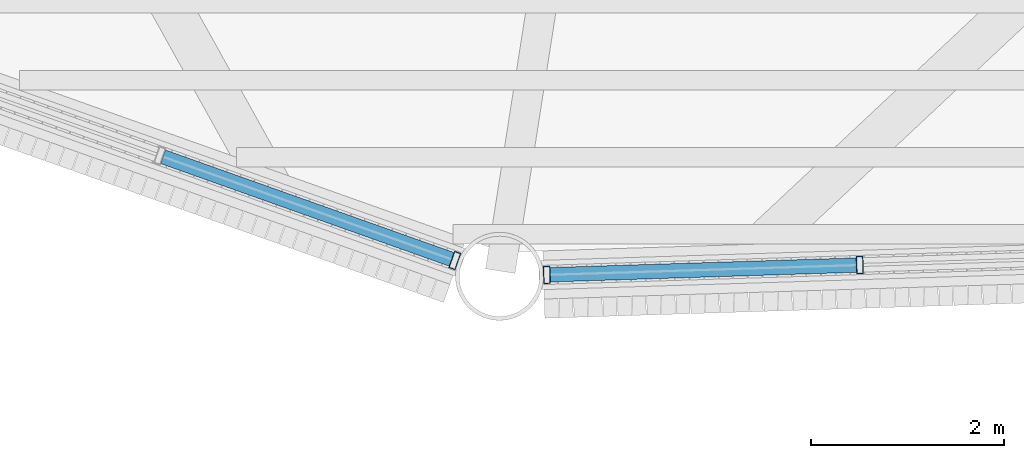
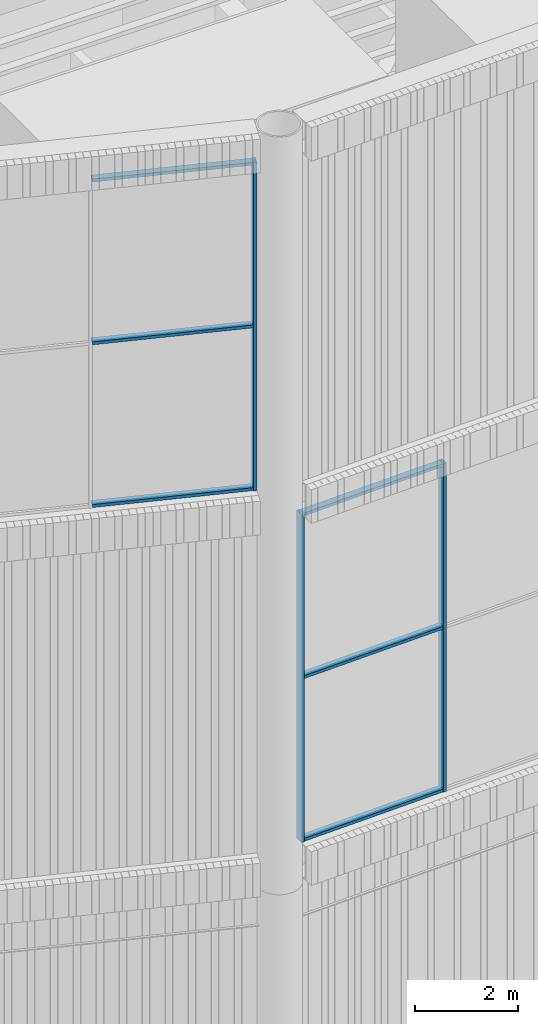
# One storey, part 21 of 117: 9 members, 2 elements without a shape of their own.
"""IFC4 building model written with IfcOpenShell, lengths in metres."""

from ifc_helpers import new_model, si_unit, direction, frame, origin, origin_2d, place, context, subcontext, project, spatial, hollow_rectangle, extrude, material, layer, layer_set, material_profile, profile_set, type_object, element, aggregate, save


model = new_model("IFC4")

# Units and contexts
model_context = context("Model", 3, precision=1e-05, world=origin(), true_north=direction((0.0, 1.0)))
body_context = subcontext(model_context, "Body", "Model", "MODEL_VIEW")
ifc_project = project(units=[si_unit("LENGTHUNIT", "METRE"), si_unit("AREAUNIT", "SQUARE_METRE"), si_unit("VOLUMEUNIT", "CUBIC_METRE"), si_unit("PLANEANGLEUNIT", "RADIAN"), si_unit("MASSUNIT", "GRAM", prefix="KILO")], contexts=[model_context])

# Site, building, storey
site_placement = place(None, origin())
site = spatial("IfcSite", under=ifc_project, at=site_placement, CompositionType="ELEMENT")
building_placement = place(site_placement, origin())
building = spatial("IfcBuilding", under=site, at=building_placement, Name="Tarsis Ring Headquarters", CompositionType="ELEMENT")
storey_placement = place(building_placement, frame((0.0, 0.0, 403.60009765625)))
storey = spatial("IfcBuildingStorey", under=building, at=storey_placement, Name="L95", CompositionType="ELEMENT", Elevation=403.60009765625)

# Curtain wall, members
ifc_material_1 = material(Name="Aluminium curtain wall", Category="aluminium")
ifc_layer = layer(ifc_material_1, 0.179931640625)
ifc_layer_set = layer_set([ifc_layer], Name="Curtain wall crown glazing")
curtain_wall_type = type_object("IfcCurtainWallType", Name="Curtain wall crown glazing", PredefinedType="NOTDEFINED", material=ifc_layer_set)
curtain_wall_1_placement = place(storey_placement, origin())
curtain_wall_1 = element("IfcCurtainWall", 1, at=curtain_wall_1_placement, inside=storey, type_object=curtain_wall_type, Name="Crown glazing L1", PredefinedType="NOTDEFINED")
ifc_material_2 = material(Name="Aluminium mullion", Category="aluminium")
ifc_material_profile_1 = material_profile(ifc_material_2, hollow_rectangle(XDim=0.179931640625, YDim=0.070068359375, WallThickness=0.0048828125, at=origin_2d()), Name="RHS 180x70x5")
ifc_profile_set_1 = profile_set([ifc_material_profile_1], Name="Aluminium mullion")
member_type_1 = type_object("IfcMemberType", Name="Crown glazing mullion RHS 180x70x5", PredefinedType="MULLION", material=ifc_profile_set_1)
member_1_placement = place(storey_placement, frame((-3.992431640625, -28.684814453125, 5.7998046875), z_axis=(0.0, 0.0, 1.0), x_axis=(-0.031497755807, 0.999503822594, 0.0)))
member_1 = element("IfcMember", 2, at=member_1_placement, type_object=member_type_1, Name="CW-C mullion 1", PredefinedType="MULLION", context=body_context, shape_type="SweptSolid", body=[
    extrude(hollow_rectangle(XDim=0.179931640625, YDim=0.070068359375, WallThickness=0.0048828125, at=origin_2d()), origin(), (0.0, 0.0, 1.0), 7.800048828125),
])
member_2_placement = place(storey_placement, frame((-0.742919921875, -28.58251953125, 5.7998046875), z_axis=(0.0, 0.0, 1.0), x_axis=(-0.031497755807, 0.999503822594, 0.0)))
member_2 = element("IfcMember", 3, at=member_2_placement, type_object=member_type_1, Name="CW-C mullion 2", PredefinedType="MULLION", context=body_context, shape_type="SweptSolid", body=[
    extrude(hollow_rectangle(XDim=0.179931640625, YDim=0.070068359375, WallThickness=0.0048828125, at=origin_2d()), origin(), (0.0, 0.0, 1.0), 7.800048828125),
])

# Curtain wall, member
curtain_wall_2_placement = place(storey_placement, origin())
curtain_wall_2 = element("IfcCurtainWall", 4, at=curtain_wall_2_placement, inside=storey, type_object=curtain_wall_type, Name="Crown glazing U20", PredefinedType="NOTDEFINED")
member_3_placement = place(storey_placement, frame((-4.94775390625, -28.53564453125, 14.39990234375), z_axis=(0.0, 0.0, 1.0), x_axis=(0.334875807731, 0.942262274209, 0.0)))
member_3 = element("IfcMember", 5, at=member_3_placement, type_object=member_type_1, Name="CW-C mullion 4", PredefinedType="MULLION", context=body_context, shape_type="SweptSolid", body=[
    extrude(hollow_rectangle(XDim=0.179931640625, YDim=0.070068359375, WallThickness=0.0048828125, at=origin_2d()), origin(), (0.0, 0.0, 1.0), 7.800048828125),
])

# Member
ifc_material_3 = material(Name="Aluminium transom", Category="aluminium")
ifc_material_profile_2 = material_profile(ifc_material_3, hollow_rectangle(XDim=0.14990234375, YDim=0.070068359375, WallThickness=0.0048828125, at=origin_2d()), Name="RHS 150x70x5")
ifc_profile_set_2 = profile_set([ifc_material_profile_2], Name="Aluminium transom")
member_type_2 = type_object("IfcMemberType", Name="Crown glazing transom RHS 150x70x5", PredefinedType="USERDEFINED", material=ifc_profile_set_2)
member_4_placement = place(storey_placement, frame((-3.957275390625, -28.683837890625, 5.8349609375), z_axis=(0.999502292776, 0.031546263426, 0.0), x_axis=(-0.031546263426, 0.999502292776, 0.0)))
member_4 = element("IfcMember", 6, at=member_4_placement, type_object=member_type_2, Name="CW-C transom 1.1", ObjectType="TRANSOM", PredefinedType="USERDEFINED", context=body_context, shape_type="SweptSolid", body=[
    extrude(hollow_rectangle(XDim=0.14990234375, YDim=0.070068359375, WallThickness=0.0048828125, at=origin_2d()), origin(), (0.0, 0.0, 1.0), 3.1806640625),
])

member_5_placement = place(storey_placement, frame((-3.957275390625, -28.683837890625, 9.699951171875), z_axis=(0.999502292776, 0.031546263426, 0.0), x_axis=(-0.031546263426, 0.999502292776, 0.0)))
member_5 = element("IfcMember", 7, at=member_5_placement, type_object=member_type_2, Name="CW-C transom 1.2", ObjectType="TRANSOM", PredefinedType="USERDEFINED", context=body_context, shape_type="SweptSolid", body=[
    extrude(hollow_rectangle(XDim=0.14990234375, YDim=0.070068359375, WallThickness=0.0048828125, at=origin_2d()), origin(), (0.0, 0.0, 1.0), 3.1806640625),
])

member_6_placement = place(storey_placement, frame((-3.957275390625, -28.683837890625, 13.56494140625), z_axis=(0.999502292776, 0.031546263426, 0.0), x_axis=(-0.031546263426, 0.999502292776, 0.0)))
member_6 = element("IfcMember", 8, at=member_6_placement, type_object=member_type_2, Name="CW-C transom 1.3", ObjectType="TRANSOM", PredefinedType="USERDEFINED", context=body_context, shape_type="SweptSolid", body=[
    extrude(hollow_rectangle(XDim=0.14990234375, YDim=0.070068359375, WallThickness=0.0048828125, at=origin_2d()), origin(), (0.0, 0.0, 1.0), 3.1806640625),
])

aggregate(curtain_wall_1, [member_1, member_2, member_4, member_5, member_6])

member_7_placement = place(storey_placement, frame((-7.97802734375, -27.458740234375, 14.434814453125), z_axis=(0.942266900184, -0.334862791032, 0.0), x_axis=(0.334862791032, 0.942266900184, 0.0)))
member_7 = element("IfcMember", 9, at=member_7_placement, type_object=member_type_2, Name="CW-C transom 3.1", ObjectType="TRANSOM", PredefinedType="USERDEFINED", context=body_context, shape_type="SweptSolid", body=[
    extrude(hollow_rectangle(XDim=0.14990234375, YDim=0.070068359375, WallThickness=0.0048828125, at=origin_2d()), origin(), (0.0, 0.0, 1.0), 3.180908203125),
])

member_8_placement = place(storey_placement, frame((-7.97802734375, -27.458740234375, 18.2998046875), z_axis=(0.942266900184, -0.334862791032, 0.0), x_axis=(0.334862791032, 0.942266900184, 0.0)))
member_8 = element("IfcMember", 10, at=member_8_placement, type_object=member_type_2, Name="CW-C transom 3.2", ObjectType="TRANSOM", PredefinedType="USERDEFINED", context=body_context, shape_type="SweptSolid", body=[
    extrude(hollow_rectangle(XDim=0.14990234375, YDim=0.070068359375, WallThickness=0.0048828125, at=origin_2d()), origin(), (0.0, 0.0, 1.0), 3.180908203125),
])

member_9_placement = place(storey_placement, frame((-7.97802734375, -27.458740234375, 22.164794921875), z_axis=(0.942266900184, -0.334862791032, 0.0), x_axis=(0.334862791032, 0.942266900184, 0.0)))
member_9 = element("IfcMember", 11, at=member_9_placement, type_object=member_type_2, Name="CW-C transom 3.3", ObjectType="TRANSOM", PredefinedType="USERDEFINED", context=body_context, shape_type="SweptSolid", body=[
    extrude(hollow_rectangle(XDim=0.14990234375, YDim=0.070068359375, WallThickness=0.0048828125, at=origin_2d()), origin(), (0.0, 0.0, 1.0), 3.180908203125),
])

aggregate(curtain_wall_2, [member_3, member_7, member_8, member_9])

save(model, "model.ifc")
